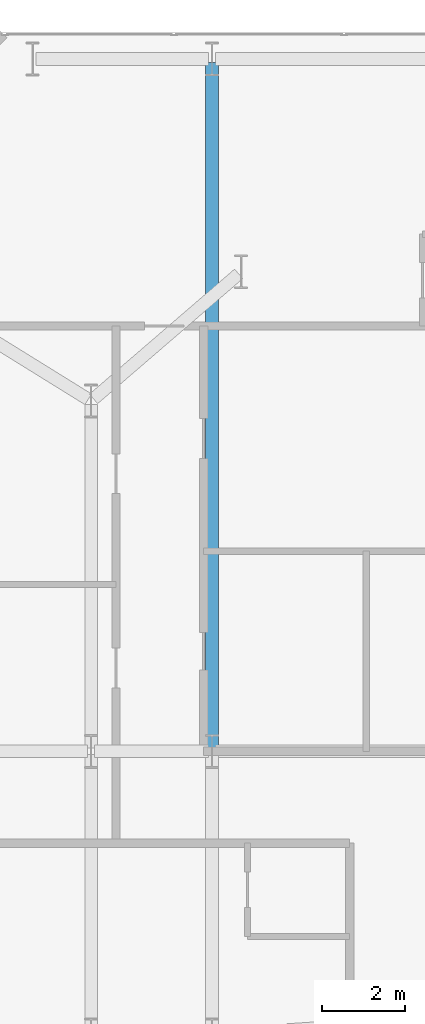
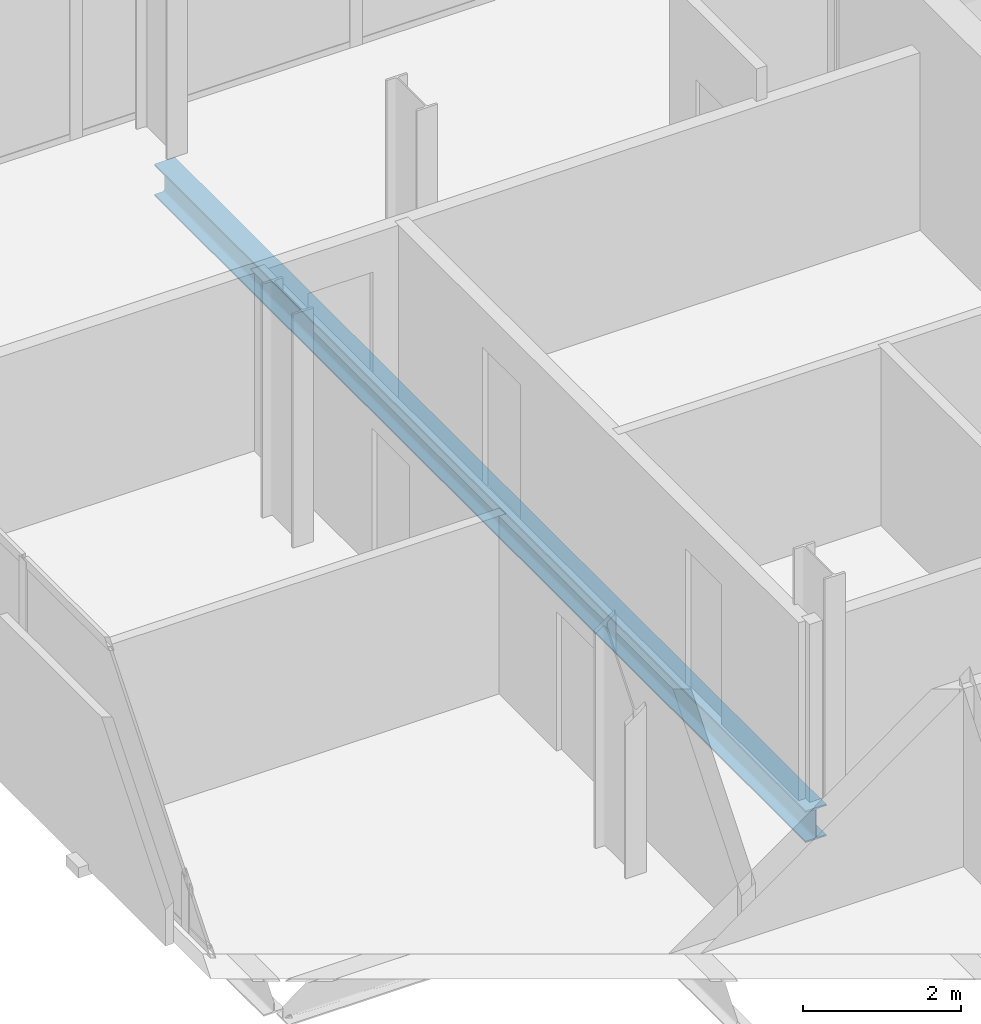
# One storey, part 19 of 33: 1 beam.
"""IFC4 building model written with IfcOpenShell, lengths in metres."""

from ifc_helpers import new_model, si_unit, direction, frame, origin, origin_2d, place, context, subcontext, project, spatial, i_section, extrude, material, material_profile, profile_set, type_object, element, save


model = new_model("IFC4")

# Units and contexts
model_context = context("Model", 3, precision=1e-05, world=origin(), true_north=direction((0.0, 1.0)))
body_context = subcontext(model_context, "Body", "Model", "MODEL_VIEW")
ifc_project = project(units=[si_unit("LENGTHUNIT", "METRE"), si_unit("AREAUNIT", "SQUARE_METRE"), si_unit("VOLUMEUNIT", "CUBIC_METRE"), si_unit("PLANEANGLEUNIT", "RADIAN"), si_unit("MASSUNIT", "GRAM", prefix="KILO")], contexts=[model_context])

# Site, building, storey
site_placement = place(None, origin())
site = spatial("IfcSite", under=ifc_project, at=site_placement, CompositionType="ELEMENT")
building_placement = place(site_placement, origin())
building = spatial("IfcBuilding", under=site, at=building_placement, Name="Catumbela Crestline Tower", CompositionType="ELEMENT")
storey_placement = place(building_placement, frame((0.0, 0.0, 76.2)))
storey = spatial("IfcBuildingStorey", under=building, at=storey_placement, Name="L19", CompositionType="ELEMENT", Elevation=76.2)

# Beam
ifc_material = material(Name="Structural steel S355J2", Category="steel")
ifc_material_profile = material_profile(ifc_material, i_section(OverallWidth=0.3, OverallDepth=0.49, WebThickness=0.012, FlangeThickness=0.023, FilletRadius=0.027, at=origin_2d()), Name="HEA 500")
ifc_profile_set = profile_set([ifc_material_profile], Name="Structural steel S355J2")
beam_type = type_object("IfcBeamType", Name="BG-HEA500", PredefinedType="BEAM", material=ifc_profile_set)
beam_placement = place(storey_placement, frame((8.5, 30.88, -0.505), z_axis=(0.0, 1.0, 0.0), x_axis=(-1.0, 0.0, 0.0)))
element("IfcBeam", 1, at=beam_placement, inside=storey, type_object=beam_type, Name="L19 Beam BM-L19-SN30", PredefinedType="BEAM", context=body_context, shape_type="SweptSolid", body=[
    extrude(i_section(OverallWidth=0.3, OverallDepth=0.49, WebThickness=0.012, FlangeThickness=0.023, FilletRadius=0.027, at=origin_2d()), origin(), (0.0, 0.0, 1.0), 16.44),
])

save(model, "model.ifc")
